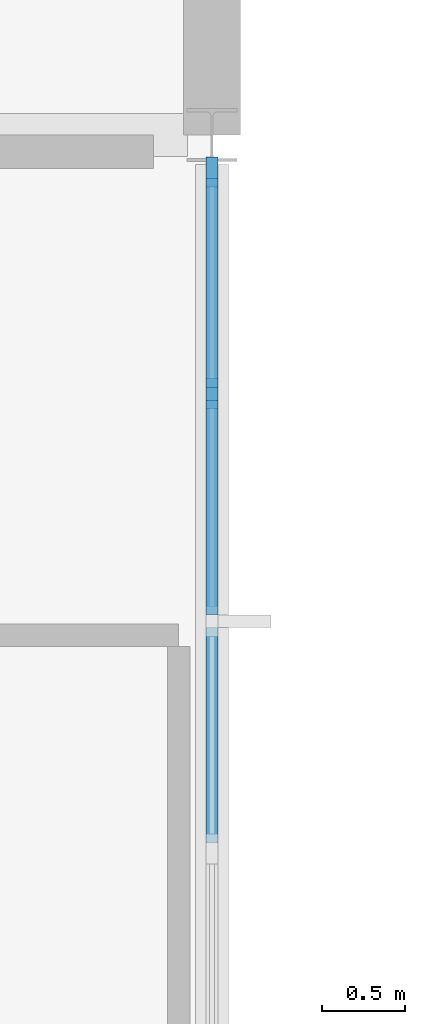
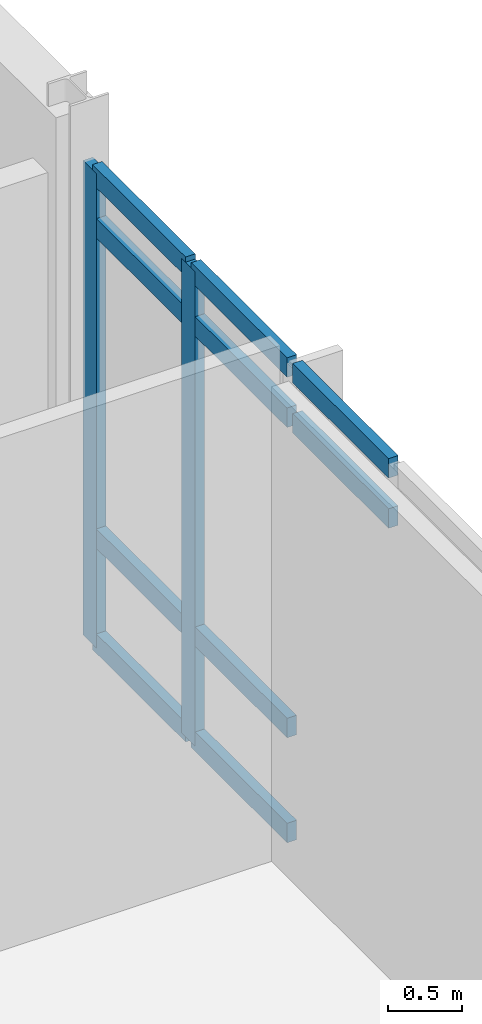
# One storey, part 20 of 43: 12 members, 1 element without a shape of its own.
"""IFC4 building model written with IfcOpenShell, lengths in metres."""

from ifc_helpers import new_model, si_unit, direction, frame, origin, origin_2d, place, context, subcontext, project, spatial, rectangle, extrude, material, layer, layer_set, material_profile, profile_set, type_object, element, aggregate, save


model = new_model("IFC4")

# Units and contexts
model_context = context("Model", 3, precision=1e-05, world=origin(), true_north=direction((0.0, 1.0)))
body_context = subcontext(model_context, "Body", "Model", "MODEL_VIEW")
ifc_project = project(units=[si_unit("LENGTHUNIT", "METRE"), si_unit("AREAUNIT", "SQUARE_METRE"), si_unit("VOLUMEUNIT", "CUBIC_METRE"), si_unit("PLANEANGLEUNIT", "RADIAN"), si_unit("MASSUNIT", "GRAM", prefix="KILO")], contexts=[model_context])

# Site, building, storey
site_placement = place(None, origin())
site = spatial("IfcSite", under=ifc_project, at=site_placement, CompositionType="ELEMENT")
building_placement = place(site_placement, origin())
building = spatial("IfcBuilding", under=site, at=building_placement, Name="Zarrinpeak Specialist Clinic", CompositionType="ELEMENT")
storey_placement = place(building_placement, frame((0.0, 0.0, 18.39990234375)))
storey = spatial("IfcBuildingStorey", under=building, at=storey_placement, Name="L04", CompositionType="ELEMENT", Elevation=18.39990234375)

# Curtain wall, members
ifc_material = material(Name="Anodised Aluminium Alloy 6063-T6", Category="aluminium")
ifc_layer = layer(ifc_material, 0.1650390625)
ifc_layer_set = layer_set([ifc_layer], Name="Anodised Aluminium Alloy 6063-T6")
curtain_wall_type = type_object("IfcCurtainWallType", Name="CW-CLINIC", PredefinedType="NOTDEFINED", material=ifc_layer_set)
curtain_wall_placement = place(storey_placement, origin())
curtain_wall = element("IfcCurtainWall", 1, at=curtain_wall_placement, inside=storey, type_object=curtain_wall_type, Name="L04 V6 Unitised Curtain Wall CW-L04-V6-158", PredefinedType="NOTDEFINED")
ifc_material_profile_1 = material_profile(ifc_material, rectangle(XDim=0.074951171875, YDim=0.179931640625, at=origin_2d()), Name="ALU 75x180")
ifc_profile_set_1 = profile_set([ifc_material_profile_1], Name="Anodised Aluminium Alloy 6063-T6")
member_type_1 = type_object("IfcMemberType", Name="CWM-75", PredefinedType="MULLION", material=ifc_profile_set_1)
member_1_placement = place(storey_placement, frame((64.800048828125, 102.049072265625, 0.0), z_axis=(0.0, 0.0, 1.0), x_axis=(-1.0, 0.0, 0.0)))
member_1 = element("IfcMember", 2, at=member_1_placement, type_object=member_type_1, Name="CW-03 mullion 5", PredefinedType="MULLION", context=body_context, shape_type="SweptSolid", body=[
    extrude(rectangle(XDim=0.074951171875, YDim=0.179931640625, at=origin_2d()), origin(), (0.0, 0.0, 1.0), 3.900146484375),
])
member_2_placement = place(storey_placement, frame((64.800048828125, 103.37744140625, 0.0), z_axis=(0.0, 0.0, 1.0), x_axis=(-1.0, 0.0, 0.0)))
member_2 = element("IfcMember", 3, at=member_2_placement, type_object=member_type_1, Name="CW-03 mullion 6", PredefinedType="MULLION", context=body_context, shape_type="SweptSolid", body=[
    extrude(rectangle(XDim=0.074951171875, YDim=0.179931640625, at=origin_2d()), origin(), (0.0, 0.0, 1.0), 3.900146484375),
])
ifc_material_profile_2 = material_profile(ifc_material, rectangle(XDim=0.074951171875, YDim=0.159912109375, at=origin_2d()), Name="ALU 75x160")
ifc_profile_set_2 = profile_set([ifc_material_profile_2], Name="Anodised Aluminium Alloy 6063-T6")
member_type_2 = type_object("IfcMemberType", Name="CWT-75", PredefinedType="USERDEFINED", material=ifc_profile_set_2)
member_3_placement = place(storey_placement, frame((64.800048828125, 99.3544921875, 3.4501953125), z_axis=(0.0, 1.0, 0.0), x_axis=(-1.0, 0.0, 0.0)))
member_3 = element("IfcMember", 4, at=member_3_placement, type_object=member_type_2, Name="CW-03 transom 3.3", ObjectType="TRANSOM", PredefinedType="USERDEFINED", context=body_context, shape_type="SweptSolid", body=[
    extrude(rectangle(XDim=0.074951171875, YDim=0.159912109375, at=origin_2d()), origin(), (0.0, 0.0, 1.0), 1.291015625),
])
member_4_placement = place(storey_placement, frame((64.800048828125, 99.3544921875, 3.862548828125), z_axis=(0.0, 1.0, 0.0), x_axis=(-1.0, 0.0, 0.0)))
member_4 = element("IfcMember", 5, at=member_4_placement, type_object=member_type_2, Name="CW-03 transom 3.4", ObjectType="TRANSOM", PredefinedType="USERDEFINED", context=body_context, shape_type="SweptSolid", body=[
    extrude(rectangle(XDim=0.074951171875, YDim=0.159912109375, at=origin_2d()), origin(), (0.0, 0.0, 1.0), 1.291015625),
])
member_5_placement = place(storey_placement, frame((64.800048828125, 100.720458984375, 0.03759765625), z_axis=(0.0, 1.0, 0.0), x_axis=(-1.0, 0.0, 0.0)))
member_5 = element("IfcMember", 6, at=member_5_placement, type_object=member_type_2, Name="CW-03 transom 4.1", ObjectType="TRANSOM", PredefinedType="USERDEFINED", context=body_context, shape_type="SweptSolid", body=[
    extrude(rectangle(XDim=0.074951171875, YDim=0.159912109375, at=origin_2d()), origin(), (0.0, 0.0, 1.0), 1.291015625),
])
member_6_placement = place(storey_placement, frame((64.800048828125, 100.720458984375, 0.900146484375), z_axis=(0.0, 1.0, 0.0), x_axis=(-1.0, 0.0, 0.0)))
member_6 = element("IfcMember", 7, at=member_6_placement, type_object=member_type_2, Name="CW-03 transom 4.2", ObjectType="TRANSOM", PredefinedType="USERDEFINED", context=body_context, shape_type="SweptSolid", body=[
    extrude(rectangle(XDim=0.074951171875, YDim=0.159912109375, at=origin_2d()), origin(), (0.0, 0.0, 1.0), 1.291015625),
])
member_7_placement = place(storey_placement, frame((64.800048828125, 100.720458984375, 3.4501953125), z_axis=(0.0, 1.0, 0.0), x_axis=(-1.0, 0.0, 0.0)))
member_7 = element("IfcMember", 8, at=member_7_placement, type_object=member_type_2, Name="CW-03 transom 4.3", ObjectType="TRANSOM", PredefinedType="USERDEFINED", context=body_context, shape_type="SweptSolid", body=[
    extrude(rectangle(XDim=0.074951171875, YDim=0.159912109375, at=origin_2d()), origin(), (0.0, 0.0, 1.0), 1.291015625),
])
member_8_placement = place(storey_placement, frame((64.800048828125, 100.720458984375, 3.862548828125), z_axis=(0.0, 1.0, 0.0), x_axis=(-1.0, 0.0, 0.0)))
member_8 = element("IfcMember", 9, at=member_8_placement, type_object=member_type_2, Name="CW-03 transom 4.4", ObjectType="TRANSOM", PredefinedType="USERDEFINED", context=body_context, shape_type="SweptSolid", body=[
    extrude(rectangle(XDim=0.074951171875, YDim=0.159912109375, at=origin_2d()), origin(), (0.0, 0.0, 1.0), 1.291015625),
])
member_9_placement = place(storey_placement, frame((64.800048828125, 102.08642578125, 0.03759765625), z_axis=(0.0, 1.0, 0.0), x_axis=(-1.0, 0.0, 0.0)))
member_9 = element("IfcMember", 10, at=member_9_placement, type_object=member_type_2, Name="CW-03 transom 5.1", ObjectType="TRANSOM", PredefinedType="USERDEFINED", context=body_context, shape_type="SweptSolid", body=[
    extrude(rectangle(XDim=0.074951171875, YDim=0.159912109375, at=origin_2d()), origin(), (0.0, 0.0, 1.0), 1.253662109375),
])
member_10_placement = place(storey_placement, frame((64.800048828125, 102.08642578125, 0.900146484375), z_axis=(0.0, 1.0, 0.0), x_axis=(-1.0, 0.0, 0.0)))
member_10 = element("IfcMember", 11, at=member_10_placement, type_object=member_type_2, Name="CW-03 transom 5.2", ObjectType="TRANSOM", PredefinedType="USERDEFINED", context=body_context, shape_type="SweptSolid", body=[
    extrude(rectangle(XDim=0.074951171875, YDim=0.159912109375, at=origin_2d()), origin(), (0.0, 0.0, 1.0), 1.253662109375),
])
member_11_placement = place(storey_placement, frame((64.800048828125, 102.08642578125, 3.4501953125), z_axis=(0.0, 1.0, 0.0), x_axis=(-1.0, 0.0, 0.0)))
member_11 = element("IfcMember", 12, at=member_11_placement, type_object=member_type_2, Name="CW-03 transom 5.3", ObjectType="TRANSOM", PredefinedType="USERDEFINED", context=body_context, shape_type="SweptSolid", body=[
    extrude(rectangle(XDim=0.074951171875, YDim=0.159912109375, at=origin_2d()), origin(), (0.0, 0.0, 1.0), 1.253662109375),
])
member_12_placement = place(storey_placement, frame((64.800048828125, 102.08642578125, 3.862548828125), z_axis=(0.0, 1.0, 0.0), x_axis=(-1.0, 0.0, 0.0)))
member_12 = element("IfcMember", 13, at=member_12_placement, type_object=member_type_2, Name="CW-03 transom 5.4", ObjectType="TRANSOM", PredefinedType="USERDEFINED", context=body_context, shape_type="SweptSolid", body=[
    extrude(rectangle(XDim=0.074951171875, YDim=0.159912109375, at=origin_2d()), origin(), (0.0, 0.0, 1.0), 1.253662109375),
])
aggregate(curtain_wall, [member_1, member_2, member_3, member_4, member_5, member_6, member_7, member_8, member_9, member_10, member_11, member_12])

save(model, "model.ifc")
